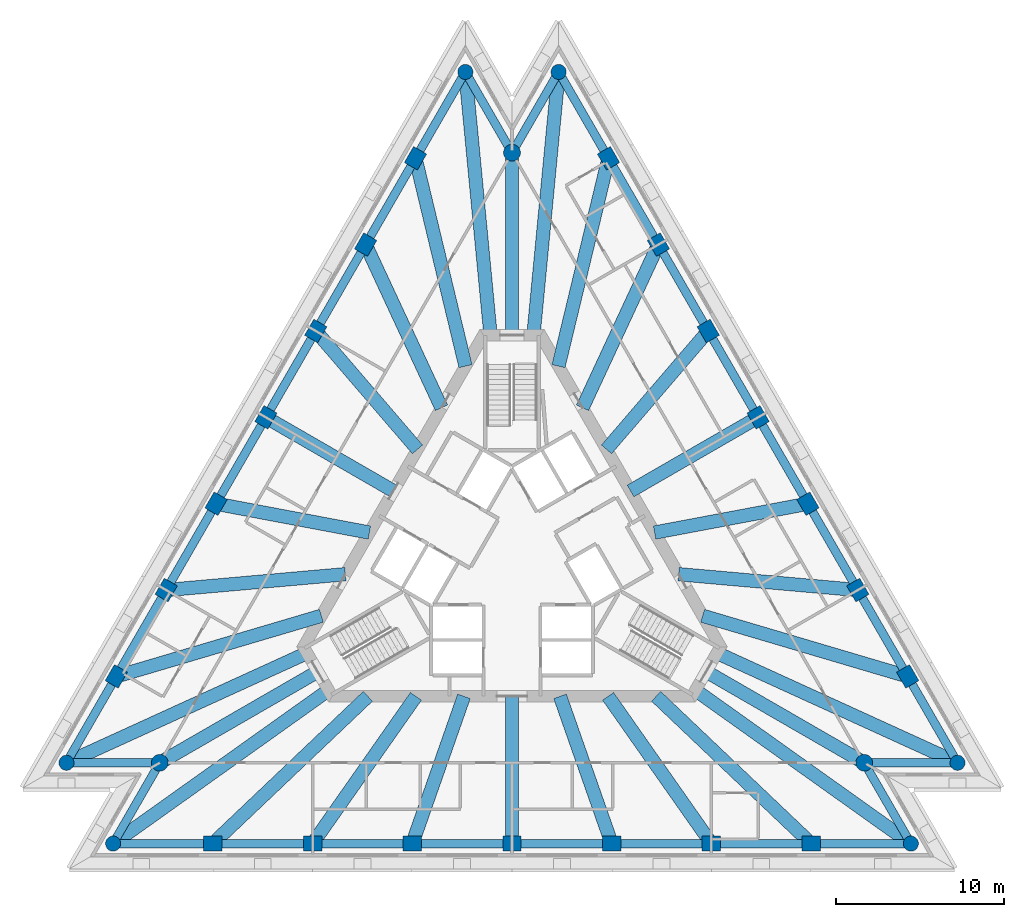
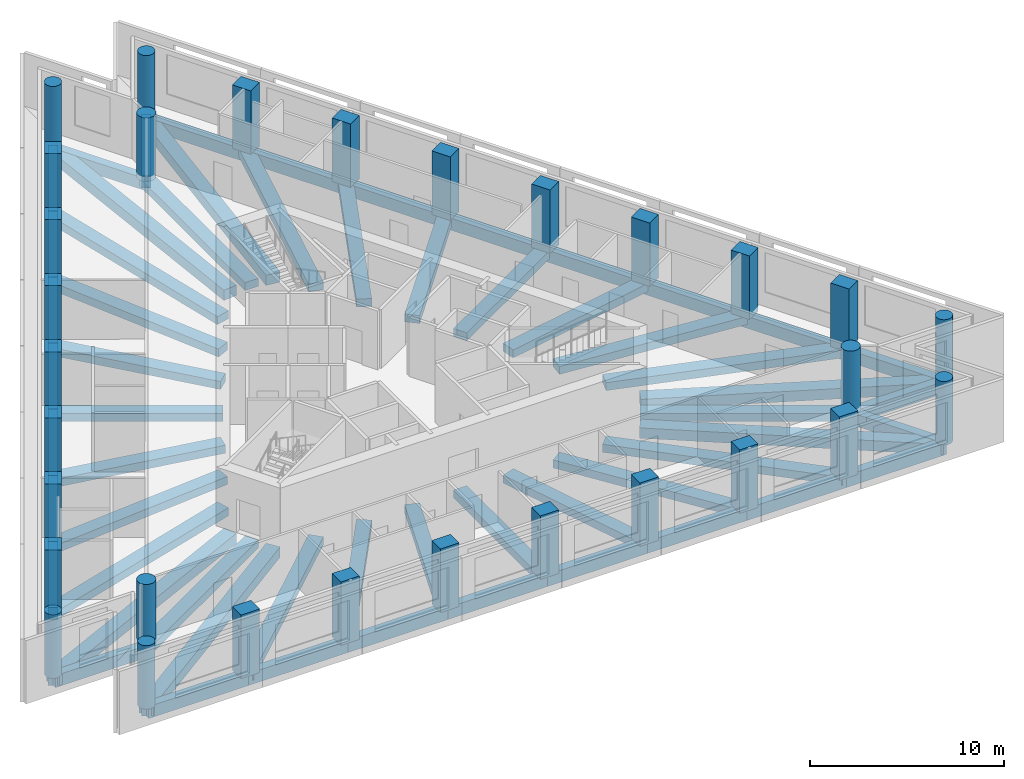
# One storey, part 1 of 9: 60 beams, 30 columns.
"""IFC4 building model written with IfcOpenShell, lengths in metres."""

import ifcopenshell
import ifcopenshell.guid

model = None  # the IFC model being written
_history = None  # IfcOwnerHistory: only IFC2X3 demands one
_inside = {}  # id of a spatial element -> (the spatial element, [elements in it])
_under = {}  # id of a project, library or spatial element -> (it, [spatial elements below it])
_declared = {}  # id of a project -> (the project, [libraries it declares])
_typed = {}  # id of a type object -> (the type object, [elements of that type])
_made_of = {}  # id of a material, layer set ... -> (it, [elements and type objects made of it])


def new_model(schema):
    """Start an empty IFC model of exactly this schema.

    Asked for "IFC4X3", IfcOpenShell would pick the latest addendum, in which some entities
    have other attributes; the version numbers below select the first issue.
    IFC2X3 requires an IfcOwnerHistory on every rooted entity: one is made here for all.
    """
    global model, _history
    if schema == "IFC4X3":
        model = ifcopenshell.file(schema_version=(4, 3, 0, 0))
    else:
        model = ifcopenshell.file(schema=schema)
    _inside.clear()
    _under.clear()
    _declared.clear()
    _typed.clear()
    _made_of.clear()
    _history = None
    if model.schema == "IFC2X3":
        org = make("IfcOrganization", Name="unknown")
        user = make(
            "IfcPersonAndOrganization",
            ThePerson=make("IfcPerson", FamilyName="unknown"),
            TheOrganization=org,
        )
        app = make(
            "IfcApplication",
            ApplicationDeveloper=org,
            Version="unknown",
            ApplicationFullName="unknown",
            ApplicationIdentifier="unknown",
        )
        _history = make(
            "IfcOwnerHistory",
            OwningUser=user,
            OwningApplication=app,
            ChangeAction="ADDED",
            CreationDate=0,
        )
    return model


def make(cls, **values):
    """One entity of the class cls with the attributes given. An attribute that is None is left unset."""
    return model.create_entity(
        cls, **{name: value for name, value in values.items() if value is not None}
    )


def rooted(cls, **values):
    """An entity with a GlobalId (a new one), such as an element, a storey or a relation."""
    return make(cls, GlobalId=ifcopenshell.guid.new(), OwnerHistory=_history, **values)


def si_unit(unit_type, name, prefix=None):
    """IfcSIUnit, for example si_unit("LENGTHUNIT", "METRE", prefix="MILLI")."""
    return make("IfcSIUnit", UnitType=unit_type, Prefix=prefix, Name=name)


def assignment(units):
    """IfcUnitAssignment: the units of a project."""
    return None if units is None else make("IfcUnitAssignment", Units=units)


def point(xyz):
    """IfcCartesianPoint."""
    return None if xyz is None else make("IfcCartesianPoint", Coordinates=xyz)


def direction(xyz):
    """IfcDirection."""
    return None if xyz is None else make("IfcDirection", DirectionRatios=xyz)


def frame(location, z_axis=None, x_axis=None):
    """IfcAxis2Placement3D, a coordinate frame: its origin and axes. An axis left out is left unset."""
    return make(
        "IfcAxis2Placement3D",
        Location=point(location),
        Axis=direction(z_axis),
        RefDirection=direction(x_axis),
    )


def frame_2d(location, x_axis=None):
    """IfcAxis2Placement2D, a coordinate frame in the plane: its origin and x axis."""
    return make(
        "IfcAxis2Placement2D", Location=point(location), RefDirection=direction(x_axis)
    )


def origin():
    """The frame at (0, 0, 0) with its axes left unset."""
    return frame((0.0, 0.0, 0.0))


def origin_2d():
    """The frame at (0, 0) in the plane with its x axis left unset."""
    return frame_2d((0.0, 0.0))


def place(relative_to, where):
    """IfcLocalPlacement: puts the frame where relative to a parent placement (None: the world)."""
    return make(
        "IfcLocalPlacement", PlacementRelTo=relative_to, RelativePlacement=where
    )


def context(
    kind, dimensions, precision=None, world=None, true_north=None, identifier=None
):
    """IfcGeometricRepresentationContext, for example the 3D "Model" context."""
    return make(
        "IfcGeometricRepresentationContext",
        ContextIdentifier=identifier,
        ContextType=kind,
        CoordinateSpaceDimension=dimensions,
        Precision=precision,
        WorldCoordinateSystem=world,
        TrueNorth=true_north,
    )


def subcontext(parent, identifier, kind, view, scale=None):
    """IfcGeometricRepresentationSubContext, for example "Body" below "Model"."""
    return make(
        "IfcGeometricRepresentationSubContext",
        ContextIdentifier=identifier,
        ContextType=kind,
        ParentContext=parent,
        TargetScale=scale,
        TargetView=view,
    )


def project(units=None, contexts=None):
    """IfcProject with its units and contexts."""
    return rooted(
        "IfcProject",
        Name="project",
        RepresentationContexts=contexts,
        UnitsInContext=assignment(units),
    )


def spatial(cls, under=None, at=None, **own):
    """A site, building, storey or space (cls), placed at a placement, below another one or the project."""
    s = rooted(cls, ObjectPlacement=at, **own)
    if under is not None:
        _under.setdefault(under.id(), (under, []))[1].append(s)
    return s


def profile(cls, at=None, kind="AREA", **sizes):
    """A parametric profile (cls). Its sizes go by their IFC names, for example OverallWidth=200.0."""
    return make(cls, ProfileType=kind, Position=at, **sizes)


def rectangle(**sizes):
    """IfcRectangleProfileDef."""
    return profile("IfcRectangleProfileDef", **sizes)


def circle(**sizes):
    """IfcCircleProfileDef."""
    return profile("IfcCircleProfileDef", **sizes)


def extrude(swept, where, along, depth):
    """IfcExtrudedAreaSolid: the profile swept, set in the frame where, extruded along a direction by depth."""
    return make(
        "IfcExtrudedAreaSolid",
        SweptArea=swept,
        Position=where,
        ExtrudedDirection=direction(along),
        Depth=depth,
    )


def shape(context_of_items, identifier, shape_type, items):
    """IfcShapeRepresentation: the items that make up one representation, for example the "Body"."""
    return make(
        "IfcShapeRepresentation",
        ContextOfItems=context_of_items,
        RepresentationIdentifier=identifier,
        RepresentationType=shape_type,
        Items=items,
    )


def material(Name=None, Category=None):
    """IfcMaterial."""
    return make("IfcMaterial", Name=Name, Category=Category)


def material_profile(
    of_material, cross_section, Name=None, Category=None, Priority=None
):
    """IfcMaterialProfile: a cross section and its material."""
    return make(
        "IfcMaterialProfile",
        Name=Name,
        Material=of_material,
        Profile=cross_section,
        Priority=Priority,
        Category=Category,
    )


def profile_set(profiles, Name=None, composite=None):
    """IfcMaterialProfileSet."""
    return make(
        "IfcMaterialProfileSet",
        Name=Name,
        MaterialProfiles=profiles,
        CompositeProfile=composite,
    )


def made_of(thing, what):
    """Note that an element or type object is made of a material, layer set ...; save() writes the relation."""
    if what is not None:
        _made_of.setdefault(what.id(), (what, []))[1].append(thing)
    return thing


def type_object(cls, material=None, **own):
    """A type object (cls), such as IfcWallType, which elements share."""
    return made_of(rooted(cls, **own), material)


def element(
    cls,
    number,
    at=None,
    inside=None,
    cuts=None,
    type_object=None,
    material=None,
    context=None,
    identifier="Body",
    shape_type=None,
    held_by="IfcProductDefinitionShape",
    body=None,
    shapes=None,
    **own,
):
    """One element of the class cls, such as IfcWall. Its Tag is "e" and its number.

    at: its placement. inside: the storey or other place that contains it. cuts: it is an
    opening in that element (IfcRelVoidsElement). A single representation is given by context,
    identifier, shape_type and body (its items); several are given by shapes. held_by: the class
    of the entity that holds the representations. save() writes the other relations.
    """
    e = rooted(cls, Tag="e%d" % number, ObjectPlacement=at, **own)
    if body is not None:
        shapes = [shape(context, identifier, shape_type, body)]
    if shapes is not None:
        e.Representation = make(held_by, Representations=shapes)
    if inside is not None:
        _inside.setdefault(inside.id(), (inside, []))[1].append(e)
    if cuts is not None:
        rooted(
            "IfcRelVoidsElement", RelatingBuildingElement=cuts, RelatedOpeningElement=e
        )
    if type_object is not None:
        _typed.setdefault(type_object.id(), (type_object, []))[1].append(e)
    return made_of(e, material)


def aggregate(whole, parts):
    """IfcRelAggregates: a whole, such as a stair, and the parts it consists of."""
    return rooted("IfcRelAggregates", RelatingObject=whole, RelatedObjects=parts)


def save(model, path):
    """Write the relations noted so far, then the file.

    IfcRelAggregates (storeys below a building ...), IfcRelContainedInSpatialStructure (elements
    in a storey), IfcRelDefinesByType, IfcRelAssociatesMaterial and IfcRelDeclares: one each for
    every whole, place, type object, material and project.
    """
    for whole, parts in _under.values():
        aggregate(whole, parts)
    for where, things in _inside.values():
        rooted(
            "IfcRelContainedInSpatialStructure",
            RelatedElements=things,
            RelatingStructure=where,
        )
    for kind, things in _typed.values():
        rooted("IfcRelDefinesByType", RelatedObjects=things, RelatingType=kind)
    for what, things in _made_of.values():
        rooted("IfcRelAssociatesMaterial", RelatedObjects=things, RelatingMaterial=what)
    for by, libraries in _declared.values():
        rooted("IfcRelDeclares", RelatingContext=by, RelatedDefinitions=libraries)
    model.write(path)


model = new_model("IFC4")

# Units and contexts
model_context = context("Model", 3, precision=1e-05, world=origin(), true_north=direction((0.0, 1.0)))
body_context = subcontext(model_context, "Body", "Model", "MODEL_VIEW")
ifc_project = project(units=[si_unit("LENGTHUNIT", "METRE"), si_unit("AREAUNIT", "SQUARE_METRE"), si_unit("VOLUMEUNIT", "CUBIC_METRE"), si_unit("PLANEANGLEUNIT", "RADIAN"), si_unit("MASSUNIT", "GRAM", prefix="KILO")], contexts=[model_context])

# Site, building, storey
site_placement = place(None, origin())
site = spatial("IfcSite", under=ifc_project, at=site_placement, CompositionType="ELEMENT")
building_placement = place(site_placement, origin())
building = spatial("IfcBuilding", under=site, at=building_placement, Name="Triada Interchange Tower", CompositionType="ELEMENT")
storey_placement = place(building_placement, frame((0.0, 0.0, 231.300048828125)))
storey = spatial("IfcBuildingStorey", under=building, at=storey_placement, Name="L54", CompositionType="ELEMENT", Elevation=231.300048828125)

# Columns
ifc_material = material(Name="Concrete C50/60", Category="concrete")
ifc_material_profile_1 = material_profile(ifc_material, rectangle(XDim=1.10009765625, YDim=0.89990234375, at=origin_2d()), Name="RC 1100x900")
ifc_profile_set_1 = profile_set([ifc_material_profile_1], Name="Concrete C50/60")
column_type_1 = type_object("IfcColumnType", Name="Column C face RC 1100x900", PredefinedType="COLUMN", material=ifc_profile_set_1)
for number, where, z_axis, x_axis, name in (
    (1, (-5.7451171875, 23.882080078125, -0.300048828125), (0.0, 0.0, 1.0), (0.5, 0.866025403784, 0.0), "Column CC02 L54"),
    (2, (-8.714111328125, 18.740966796875, -0.300048828125), (0.0, 0.0, 1.0), (0.5, 0.866025403784, 0.0), "Column CC03 L54"),
    (3, (-11.681884765625, 13.60009765625, -0.300048828125), (0.0, 0.0, 1.0), (0.5, 0.866025403784, 0.0), "Column CC04 L54"),
    (4, (-14.65087890625, 8.4580078125, -0.300048828125), (0.0, 0.0, 1.0), (0.5, 0.866025403784, 0.0), "Column CC05 L54"),
    (5, (-17.618896484375, 3.31689453125, -0.300048828125), (0.0, 0.0, 1.0), (0.5, 0.866025403784, 0.0), "Column CC06 L54"),
    (6, (-20.5869140625, -1.823974609375, -0.300048828125), (0.0, 0.0, 1.0), (0.5, 0.866025403784, 0.0), "Column CC07 L54"),
    (7, (-23.555908203125, -6.965087890625, -0.300048828125), (0.0, 0.0, 1.0), (0.5, 0.866025403784, 0.0), "Column CC08 L54"),
    (8, (-17.81005859375, -16.9169921875, -0.300048828125), (0.0, 0.0, 1.0), (1.0, 0.0, 0.0), "Column CC11 L54"),
    (9, (-11.873046875, -16.9169921875, -0.300048828125), (0.0, 0.0, 1.0), (1.0, 0.0, 0.0), "Column CC12 L54"),
    (10, (-5.93603515625, -16.9169921875, -0.300048828125), (0.0, 0.0, 1.0), (1.0, 0.0, 0.0), "Column CC13 L54"),
    (11, (0.0, -16.9169921875, -0.300048828125), (0.0, 0.0, 1.0), (1.0, 0.0, 0.0), "Column CC14 L54"),
    (12, (5.93603515625, -16.9169921875, -0.300048828125), (0.0, 0.0, 1.0), (1.0, 0.0, 0.0), "Column CC15 L54"),
    (13, (11.873046875, -16.9169921875, -0.300048828125), (0.0, 0.0, 1.0), (1.0, 0.0, 0.0), "Column CC16 L54"),
    (14, (17.80908203125, -16.9169921875, -0.300048828125), (0.0, 0.0, 1.0), (1.0, 0.0, 0.0), "Column CC17 L54"),
    (15, (23.555908203125, -6.965087890625, -0.300048828125), (0.0, 0.0, 1.0), (-0.5, 0.866025403784, 0.0), "Column CC20 L54"),
    (16, (20.5869140625, -1.823974609375, -0.300048828125), (0.0, 0.0, 1.0), (-0.5, 0.866025403784, 0.0), "Column CC21 L54"),
    (17, (17.618896484375, 3.31689453125, -0.300048828125), (0.0, 0.0, 1.0), (-0.5, 0.866025403784, 0.0), "Column CC22 L54"),
    (18, (14.65087890625, 8.4580078125, -0.300048828125), (0.0, 0.0, 1.0), (-0.5, 0.866025403784, 0.0), "Column CC23 L54"),
    (19, (11.681884765625, 13.60009765625, -0.300048828125), (0.0, 0.0, 1.0), (-0.5, 0.866025403784, 0.0), "Column CC24 L54"),
    (20, (8.714111328125, 18.740966796875, -0.300048828125), (0.0, 0.0, 1.0), (-0.5, 0.866025403784, 0.0), "Column CC25 L54"),
    (21, (5.7451171875, 23.882080078125, -0.300048828125), (0.0, 0.0, 1.0), (-0.5, 0.866025403784, 0.0), "Column CC26 L54"),
):
    element("IfcColumn", number, at=place(storey_placement, frame(where, z_axis=z_axis, x_axis=x_axis)), inside=storey, type_object=column_type_1, Name=name, PredefinedType="COLUMN", context=body_context, shape_type="SweptSolid", body=[
        extrude(rectangle(XDim=1.10009765625, YDim=0.89990234375, at=origin_2d()), origin(), (0.0, 0.0, 1.0), 4.0),
    ])
ifc_material_profile_2 = material_profile(ifc_material, circle(Radius=0.449951171875, at=origin_2d()), Name="RC D900")
ifc_profile_set_2 = profile_set([ifc_material_profile_2], Name="Concrete C50/60")
column_type_2 = type_object("IfcColumnType", Name="End column C RC D900", PredefinedType="COLUMN", material=ifc_profile_set_2)
for number, where, z_axis, x_axis, name in (
    (22, (-2.777099609375, 29.02294921875, -0.300048828125), (0.0, 0.0, 1.0), (0.5, 0.866025403784, 0.0), "Column CC01 L54"),
    (23, (-26.52392578125, -12.10595703125, -0.300048828125), (0.0, 0.0, 1.0), (0.5, 0.866025403784, 0.0), "Column CC09 L54"),
    (24, (-23.74609375, -16.9169921875, -0.300048828125), (0.0, 0.0, 1.0), (1.0, 0.0, 0.0), "Column CC10 L54"),
    (25, (23.74609375, -16.9169921875, -0.300048828125), (0.0, 0.0, 1.0), (1.0, 0.0, 0.0), "Column CC18 L54"),
    (26, (26.52392578125, -12.10595703125, -0.300048828125), (0.0, 0.0, 1.0), (-0.5, 0.866025403784, 0.0), "Column CC19 L54"),
    (27, (2.777099609375, 29.02294921875, -0.300048828125), (0.0, 0.0, 1.0), (-0.5, 0.866025403784, 0.0), "Column CC27 L54"),
):
    element("IfcColumn", number, at=place(storey_placement, frame(where, z_axis=z_axis, x_axis=x_axis)), inside=storey, type_object=column_type_2, Name=name, PredefinedType="COLUMN", context=body_context, shape_type="SweptSolid", body=[
        extrude(circle(Radius=0.449951171875, at=origin_2d()), origin(), (0.0, 0.0, 1.0), 4.0),
    ])
ifc_material_profile_3 = material_profile(ifc_material, circle(Radius=0.5, at=origin_2d()), Name="RC D1000")
ifc_profile_set_3 = profile_set([ifc_material_profile_3], Name="Concrete C50/60")
column_type_3 = type_object("IfcColumnType", Name="Mega column C RC D1000", PredefinedType="COLUMN", material=ifc_profile_set_3)
for number, where, z_axis, x_axis, name in (
    (28, (0.0, 24.212890625, -0.300048828125), (0.0, 0.0, 1.0), (1.0, 0.0, 0.0), "Column MC1 L54"),
    (29, (-20.968994140625, -12.10595703125, -0.300048828125), (0.0, 0.0, 1.0), (1.0, 0.0, 0.0), "Column MC2 L54"),
    (30, (20.968994140625, -12.10595703125, -0.300048828125), (0.0, 0.0, 1.0), (1.0, 0.0, 0.0), "Column MC3 L54"),
):
    element("IfcColumn", number, at=place(storey_placement, frame(where, z_axis=z_axis, x_axis=x_axis)), inside=storey, type_object=column_type_3, Name=name, PredefinedType="COLUMN", context=body_context, shape_type="SweptSolid", body=[
        extrude(circle(Radius=0.5, at=origin_2d()), origin(), (0.0, 0.0, 1.0), 4.0),
    ])

# Beams
ifc_material_profile_4 = material_profile(ifc_material, rectangle(XDim=0.800048828125, YDim=0.5, at=origin_2d()), Name="RC 800x500")
ifc_profile_set_4 = profile_set([ifc_material_profile_4], Name="Concrete C50/60")
beam_type_1 = type_object("IfcBeamType", Name="Radial band beam C RC 800x500", PredefinedType="BEAM", material=ifc_profile_set_4)
beam_1_placement = place(storey_placement, frame((-5.7451171875, 23.882080078125, -0.550048828125), z_axis=(0.233879257631, -0.972265649321, 0.0), x_axis=(0.972265649321, 0.233879257631, 0.0)))
element("IfcBeam", 31, at=beam_1_placement, inside=storey, type_object=beam_type_1, Name="Radial band beam BC02 L54", PredefinedType="BEAM", context=body_context, shape_type="SweptSolid", body=[
    extrude(rectangle(XDim=0.800048828125, YDim=0.5, at=origin_2d()), origin(), (0.0, 0.0, 1.0), 12.72900390625),
])
beam_2_placement = place(storey_placement, frame((-8.714111328125, 18.740966796875, -0.550048828125), z_axis=(0.421649685725, -0.906758811663, 0.0), x_axis=(0.906758811663, 0.421649685725, 0.0)))
element("IfcBeam", 32, at=beam_2_placement, inside=storey, type_object=beam_type_1, Name="Radial band beam BC03 L54", PredefinedType="BEAM", context=body_context, shape_type="SweptSolid", body=[
    extrude(rectangle(XDim=0.800048828125, YDim=0.5, at=origin_2d()), origin(), (0.0, 0.0, 1.0), 10.710693359375),
])
beam_3_placement = place(storey_placement, frame((-11.681884765625, 13.60009765625, -0.550048828125), z_axis=(0.651580865015, -0.758579182648, 0.0), x_axis=(0.758579182648, 0.651580865015, 0.0)))
element("IfcBeam", 33, at=beam_3_placement, inside=storey, type_object=beam_type_1, Name="Radial band beam BC04 L54", PredefinedType="BEAM", context=body_context, shape_type="SweptSolid", body=[
    extrude(rectangle(XDim=0.800048828125, YDim=0.5, at=origin_2d()), origin(), (0.0, 0.0, 1.0), 9.291259765625),
])
beam_4_placement = place(storey_placement, frame((-14.65087890625, 8.4580078125, -0.550048828125), z_axis=(0.86605667378, -0.499945834867, 0.0), x_axis=(0.499945834867, 0.86605667378, 0.0)))
element("IfcBeam", 34, at=beam_4_placement, inside=storey, type_object=beam_type_1, Name="Radial band beam BC05 L54", PredefinedType="BEAM", context=body_context, shape_type="SweptSolid", body=[
    extrude(rectangle(XDim=0.800048828125, YDim=0.5, at=origin_2d()), origin(), (0.0, 0.0, 1.0), 8.76708984375),
])
beam_5_placement = place(storey_placement, frame((-17.618896484375, 3.31689453125, -0.550048828125), z_axis=(0.982736275121, -0.185011928159, 0.0), x_axis=(0.185011928159, 0.982736275121, 0.0)))
element("IfcBeam", 35, at=beam_5_placement, inside=storey, type_object=beam_type_1, Name="Radial band beam BC06 L54", PredefinedType="BEAM", context=body_context, shape_type="SweptSolid", body=[
    extrude(rectangle(XDim=0.800048828125, YDim=0.5, at=origin_2d()), origin(), (0.0, 0.0, 1.0), 9.291259765625),
])
beam_6_placement = place(storey_placement, frame((-20.5869140625, -1.823974609375, -0.550048828125), z_axis=(0.996099621029, 0.088235735309, 0.0), x_axis=(-0.088235735309, 0.996099621029, 0.0)))
element("IfcBeam", 36, at=beam_6_placement, inside=storey, type_object=beam_type_1, Name="Radial band beam BC07 L54", PredefinedType="BEAM", context=body_context, shape_type="SweptSolid", body=[
    extrude(rectangle(XDim=0.800048828125, YDim=0.5, at=origin_2d()), origin(), (0.0, 0.0, 1.0), 10.710693359375),
])
beam_7_placement = place(storey_placement, frame((-23.555908203125, -6.965087890625, -0.550048828125), z_axis=(0.958949461364, 0.283577027542, 0.0), x_axis=(-0.283577027542, 0.958949461364, 0.0)))
element("IfcBeam", 37, at=beam_7_placement, inside=storey, type_object=beam_type_1, Name="Radial band beam BC08 L54", PredefinedType="BEAM", context=body_context, shape_type="SweptSolid", body=[
    extrude(rectangle(XDim=0.800048828125, YDim=0.5, at=origin_2d()), origin(), (0.0, 0.0, 1.0), 12.730712890625),
])
beam_8_placement = place(storey_placement, frame((-20.968994140625, -12.10595703125, -0.550048828125), z_axis=(0.866033999634, 0.499985111257, 0.0), x_axis=(-0.499985111257, 0.866033999634, 0.0)))
element("IfcBeam", 38, at=beam_8_placement, inside=storey, type_object=beam_type_1, Name="Radial band beam BC10 L54", PredefinedType="BEAM", context=body_context, shape_type="SweptSolid", body=[
    extrude(rectangle(XDim=0.800048828125, YDim=0.5, at=origin_2d()), origin(), (0.0, 0.0, 1.0), 10.862060546875),
])
beam_9_placement = place(storey_placement, frame((-17.81005859375, -16.9169921875, -0.550048828125), z_axis=(0.725054017589, 0.688692000519, 0.0), x_axis=(-0.688692000519, 0.725054017589, 0.0)))
element("IfcBeam", 39, at=beam_9_placement, inside=storey, type_object=beam_type_1, Name="Radial band beam BC12 L54", PredefinedType="BEAM", context=body_context, shape_type="SweptSolid", body=[
    extrude(rectangle(XDim=0.800048828125, YDim=0.5, at=origin_2d()), origin(), (0.0, 0.0, 1.0), 12.72998046875),
])
beam_10_placement = place(storey_placement, frame((-11.873046875, -16.9169921875, -0.550048828125), z_axis=(0.574471566086, 0.818524538275, 0.0), x_axis=(-0.818524538275, 0.574471566086, 0.0)))
element("IfcBeam", 40, at=beam_10_placement, inside=storey, type_object=beam_type_1, Name="Radial band beam BC13 L54", PredefinedType="BEAM", context=body_context, shape_type="SweptSolid", body=[
    extrude(rectangle(XDim=0.800048828125, YDim=0.5, at=origin_2d()), origin(), (0.0, 0.0, 1.0), 10.7109375),
])
beam_11_placement = place(storey_placement, frame((-5.93603515625, -16.9169921875, -0.550048828125), z_axis=(0.33106431636, 0.943608191165, 0.0), x_axis=(-0.943608191165, 0.33106431636, 0.0)))
element("IfcBeam", 41, at=beam_11_placement, inside=storey, type_object=beam_type_1, Name="Radial band beam BC14 L54", PredefinedType="BEAM", context=body_context, shape_type="SweptSolid", body=[
    extrude(rectangle(XDim=0.800048828125, YDim=0.5, at=origin_2d()), origin(), (0.0, 0.0, 1.0), 9.291015625),
])
beam_12_placement = place(storey_placement, frame((0.0, -16.9169921875, -0.550048828125), z_axis=(0.0, 1.0, 0.0), x_axis=(-1.0, 0.0, 0.0)))
element("IfcBeam", 42, at=beam_12_placement, inside=storey, type_object=beam_type_1, Name="Radial band beam BC15 L54", PredefinedType="BEAM", context=body_context, shape_type="SweptSolid", body=[
    extrude(rectangle(XDim=0.800048828125, YDim=0.5, at=origin_2d()), origin(), (0.0, 0.0, 1.0), 8.76708984375),
])
beam_13_placement = place(storey_placement, frame((5.93603515625, -16.9169921875, -0.550048828125), z_axis=(-0.33106431636, 0.943608191165, 0.0), x_axis=(-0.943608191165, -0.33106431636, 0.0)))
element("IfcBeam", 43, at=beam_13_placement, inside=storey, type_object=beam_type_1, Name="Radial band beam BC16 L54", PredefinedType="BEAM", context=body_context, shape_type="SweptSolid", body=[
    extrude(rectangle(XDim=0.800048828125, YDim=0.5, at=origin_2d()), origin(), (0.0, 0.0, 1.0), 9.291015625),
])
beam_14_placement = place(storey_placement, frame((11.873046875, -16.9169921875, -0.550048828125), z_axis=(-0.574471566086, 0.818524538275, 0.0), x_axis=(-0.818524538275, -0.574471566086, 0.0)))
element("IfcBeam", 44, at=beam_14_placement, inside=storey, type_object=beam_type_1, Name="Radial band beam BC17 L54", PredefinedType="BEAM", context=body_context, shape_type="SweptSolid", body=[
    extrude(rectangle(XDim=0.800048828125, YDim=0.5, at=origin_2d()), origin(), (0.0, 0.0, 1.0), 10.7109375),
])
beam_15_placement = place(storey_placement, frame((17.80908203125, -16.9169921875, -0.550048828125), z_axis=(-0.725017629777, 0.688730307531, 0.0), x_axis=(-0.688730307531, -0.725017629777, 0.0)))
element("IfcBeam", 45, at=beam_15_placement, inside=storey, type_object=beam_type_1, Name="Radial band beam BC18 L54", PredefinedType="BEAM", context=body_context, shape_type="SweptSolid", body=[
    extrude(rectangle(XDim=0.800048828125, YDim=0.5, at=origin_2d()), origin(), (0.0, 0.0, 1.0), 12.729248046875),
])
beam_16_placement = place(storey_placement, frame((20.968994140625, -12.10595703125, -0.550048828125), z_axis=(-0.866033999634, 0.499985111257, 0.0), x_axis=(-0.499985111257, -0.866033999634, 0.0)))
element("IfcBeam", 46, at=beam_16_placement, inside=storey, type_object=beam_type_1, Name="Radial band beam BC20 L54", PredefinedType="BEAM", context=body_context, shape_type="SweptSolid", body=[
    extrude(rectangle(XDim=0.800048828125, YDim=0.5, at=origin_2d()), origin(), (0.0, 0.0, 1.0), 10.862060546875),
])
beam_17_placement = place(storey_placement, frame((23.555908203125, -6.965087890625, -0.550048828125), z_axis=(-0.958949461364, 0.283577027542, 0.0), x_axis=(-0.283577027542, -0.958949461364, 0.0)))
element("IfcBeam", 47, at=beam_17_placement, inside=storey, type_object=beam_type_1, Name="Radial band beam BC22 L54", PredefinedType="BEAM", context=body_context, shape_type="SweptSolid", body=[
    extrude(rectangle(XDim=0.800048828125, YDim=0.5, at=origin_2d()), origin(), (0.0, 0.0, 1.0), 12.730712890625),
])
beam_18_placement = place(storey_placement, frame((20.5869140625, -1.823974609375, -0.550048828125), z_axis=(-0.996099621029, 0.088235735309, 0.0), x_axis=(-0.088235735309, -0.996099621029, 0.0)))
element("IfcBeam", 48, at=beam_18_placement, inside=storey, type_object=beam_type_1, Name="Radial band beam BC23 L54", PredefinedType="BEAM", context=body_context, shape_type="SweptSolid", body=[
    extrude(rectangle(XDim=0.800048828125, YDim=0.5, at=origin_2d()), origin(), (0.0, 0.0, 1.0), 10.710693359375),
])
beam_19_placement = place(storey_placement, frame((17.618896484375, 3.31689453125, -0.550048828125), z_axis=(-0.982736275121, -0.185011928159, 0.0), x_axis=(0.185011928159, -0.982736275121, 0.0)))
element("IfcBeam", 49, at=beam_19_placement, inside=storey, type_object=beam_type_1, Name="Radial band beam BC24 L54", PredefinedType="BEAM", context=body_context, shape_type="SweptSolid", body=[
    extrude(rectangle(XDim=0.800048828125, YDim=0.5, at=origin_2d()), origin(), (0.0, 0.0, 1.0), 9.291259765625),
])
beam_20_placement = place(storey_placement, frame((14.65087890625, 8.4580078125, -0.550048828125), z_axis=(-0.86605667378, -0.499945834867, 0.0), x_axis=(0.499945834867, -0.86605667378, 0.0)))
element("IfcBeam", 50, at=beam_20_placement, inside=storey, type_object=beam_type_1, Name="Radial band beam BC25 L54", PredefinedType="BEAM", context=body_context, shape_type="SweptSolid", body=[
    extrude(rectangle(XDim=0.800048828125, YDim=0.5, at=origin_2d()), origin(), (0.0, 0.0, 1.0), 8.76708984375),
])
beam_21_placement = place(storey_placement, frame((11.681884765625, 13.60009765625, -0.550048828125), z_axis=(-0.651580865015, -0.758579182648, 0.0), x_axis=(0.758579182648, -0.651580865015, 0.0)))
element("IfcBeam", 51, at=beam_21_placement, inside=storey, type_object=beam_type_1, Name="Radial band beam BC26 L54", PredefinedType="BEAM", context=body_context, shape_type="SweptSolid", body=[
    extrude(rectangle(XDim=0.800048828125, YDim=0.5, at=origin_2d()), origin(), (0.0, 0.0, 1.0), 9.291259765625),
])
beam_22_placement = place(storey_placement, frame((8.714111328125, 18.740966796875, -0.550048828125), z_axis=(-0.421649685725, -0.906758811663, 0.0), x_axis=(0.906758811663, -0.421649685725, 0.0)))
element("IfcBeam", 52, at=beam_22_placement, inside=storey, type_object=beam_type_1, Name="Radial band beam BC27 L54", PredefinedType="BEAM", context=body_context, shape_type="SweptSolid", body=[
    extrude(rectangle(XDim=0.800048828125, YDim=0.5, at=origin_2d()), origin(), (0.0, 0.0, 1.0), 10.710693359375),
])
beam_23_placement = place(storey_placement, frame((5.7451171875, 23.882080078125, -0.550048828125), z_axis=(-0.233879257631, -0.972265649321, 0.0), x_axis=(0.972265649321, -0.233879257631, 0.0)))
element("IfcBeam", 53, at=beam_23_placement, inside=storey, type_object=beam_type_1, Name="Radial band beam BC28 L54", PredefinedType="BEAM", context=body_context, shape_type="SweptSolid", body=[
    extrude(rectangle(XDim=0.800048828125, YDim=0.5, at=origin_2d()), origin(), (0.0, 0.0, 1.0), 12.72900390625),
])
beam_24_placement = place(storey_placement, frame((0.0, 24.212890625, -0.550048828125), z_axis=(0.0, -1.0, 0.0), x_axis=(1.0, 0.0, 0.0)))
element("IfcBeam", 54, at=beam_24_placement, inside=storey, type_object=beam_type_1, Name="Radial band beam BC30 L54", PredefinedType="BEAM", context=body_context, shape_type="SweptSolid", body=[
    extrude(rectangle(XDim=0.800048828125, YDim=0.5, at=origin_2d()), origin(), (0.0, 0.0, 1.0), 10.86279296875),
])
ifc_material_profile_5 = material_profile(ifc_material, rectangle(XDim=0.800048828125, YDim=0.64990234375, at=origin_2d()), Name="RC 800x650")
ifc_profile_set_5 = profile_set([ifc_material_profile_5], Name="Concrete C50/60")
beam_type_2 = type_object("IfcBeamType", Name="Radial band beam C RC 800x650", PredefinedType="BEAM", material=ifc_profile_set_5)
beam_25_placement = place(storey_placement, frame((-2.777099609375, 29.02294921875, -0.625), z_axis=(0.095271557567, -0.995451319914, 0.0), x_axis=(0.995451319914, 0.095271557567, 0.0)))
element("IfcBeam", 55, at=beam_25_placement, inside=storey, type_object=beam_type_2, Name="Radial band beam BC01 L54", PredefinedType="BEAM", context=body_context, shape_type="SweptSolid", body=[
    extrude(rectangle(XDim=0.800048828125, YDim=0.64990234375, at=origin_2d()), origin(), (0.0, 0.0, 1.0), 15.744384765625),
])
beam_26_placement = place(storey_placement, frame((-26.52392578125, -12.10595703125, -0.625), z_axis=(0.909720728045, 0.41522066057, 0.0), x_axis=(-0.41522066057, 0.909720728045, 0.0)))
element("IfcBeam", 56, at=beam_26_placement, inside=storey, type_object=beam_type_2, Name="Radial band beam BC09 L54", PredefinedType="BEAM", context=body_context, shape_type="SweptSolid", body=[
    extrude(rectangle(XDim=0.800048828125, YDim=0.64990234375, at=origin_2d()), origin(), (0.0, 0.0, 1.0), 15.745361328125),
])
for number, where, z_axis, x_axis, name in (
    (57, (-23.74609375, -16.9169921875, -0.625), (0.814462068042, 0.580216804066, 0.0), (-0.580216804066, 0.814462068042, 0.0), "Radial band beam BC11 L54"),
    (58, (23.74609375, -16.9169921875, -0.625), (-0.814462068042, 0.580216804066, 0.0), (-0.580216804066, -0.814462068042, 0.0), "Radial band beam BC19 L54"),
):
    element("IfcBeam", number, at=place(storey_placement, frame(where, z_axis=z_axis, x_axis=x_axis)), inside=storey, type_object=beam_type_2, Name=name, PredefinedType="BEAM", context=body_context, shape_type="SweptSolid", body=[
        extrude(rectangle(XDim=0.800048828125, YDim=0.64990234375, at=origin_2d()), origin(), (0.0, 0.0, 1.0), 15.744140625),
    ])
beam_27_placement = place(storey_placement, frame((26.52392578125, -12.10595703125, -0.625), z_axis=(-0.909720728045, 0.41522066057, 0.0), x_axis=(-0.41522066057, -0.909720728045, 0.0)))
element("IfcBeam", 59, at=beam_27_placement, inside=storey, type_object=beam_type_2, Name="Radial band beam BC21 L54", PredefinedType="BEAM", context=body_context, shape_type="SweptSolid", body=[
    extrude(rectangle(XDim=0.800048828125, YDim=0.64990234375, at=origin_2d()), origin(), (0.0, 0.0, 1.0), 15.745361328125),
])
beam_28_placement = place(storey_placement, frame((2.777099609375, 29.02294921875, -0.625), z_axis=(-0.095271557567, -0.995451319914, 0.0), x_axis=(0.995451319914, -0.095271557567, 0.0)))
element("IfcBeam", 60, at=beam_28_placement, inside=storey, type_object=beam_type_2, Name="Radial band beam BC29 L54", PredefinedType="BEAM", context=body_context, shape_type="SweptSolid", body=[
    extrude(rectangle(XDim=0.800048828125, YDim=0.64990234375, at=origin_2d()), origin(), (0.0, 0.0, 1.0), 15.744384765625),
])
ifc_material_profile_6 = material_profile(ifc_material, rectangle(XDim=0.5, YDim=0.75, at=origin_2d()), Name="RC 500x750")
ifc_profile_set_6 = profile_set([ifc_material_profile_6], Name="Concrete C50/60")
beam_type_3 = type_object("IfcBeamType", Name="Spandrel beam C RC 500x750", PredefinedType="BEAM", material=ifc_profile_set_6)
beam_29_placement = place(storey_placement, frame((-2.777099609375, 29.02294921875, -0.675048828125), z_axis=(-0.499991837581, -0.866030116308, 0.0), x_axis=(0.866030116308, -0.499991837581, 0.0)))
element("IfcBeam", 61, at=beam_29_placement, inside=storey, type_object=beam_type_3, Name="Spandrel beam EC01 L54", PredefinedType="BEAM", context=body_context, shape_type="SweptSolid", body=[
    extrude(rectangle(XDim=0.5, YDim=0.75, at=origin_2d()), origin(), (0.0, 0.0, 1.0), 5.93603515625),
])
beam_30_placement = place(storey_placement, frame((-5.7451171875, 23.882080078125, -0.675048828125), z_axis=(-0.500097397748, -0.865969163866, 0.0), x_axis=(0.865969163866, -0.500097397748, 0.0)))
element("IfcBeam", 62, at=beam_30_placement, inside=storey, type_object=beam_type_3, Name="Spandrel beam EC02 L54", PredefinedType="BEAM", context=body_context, shape_type="SweptSolid", body=[
    extrude(rectangle(XDim=0.5, YDim=0.75, at=origin_2d()), origin(), (0.0, 0.0, 1.0), 5.936767578125),
])
beam_31_placement = place(storey_placement, frame((-8.714111328125, 18.740966796875, -0.675048828125), z_axis=(-0.499960990372, -0.866047924832, 0.0), x_axis=(0.866047924832, -0.499960990372, 0.0)))
element("IfcBeam", 63, at=beam_31_placement, inside=storey, type_object=beam_type_3, Name="Spandrel beam EC03 L54", PredefinedType="BEAM", context=body_context, shape_type="SweptSolid", body=[
    extrude(rectangle(XDim=0.5, YDim=0.75, at=origin_2d()), origin(), (0.0, 0.0, 1.0), 5.93603515625),
])
beam_32_placement = place(storey_placement, frame((-11.681884765625, 13.60009765625, -0.675048828125), z_axis=(-0.500026169744, -0.866010294149, 0.0), x_axis=(0.866010294149, -0.500026169744, 0.0)))
element("IfcBeam", 64, at=beam_32_placement, inside=storey, type_object=beam_type_3, Name="Spandrel beam EC04 L54", PredefinedType="BEAM", context=body_context, shape_type="SweptSolid", body=[
    extrude(rectangle(XDim=0.5, YDim=0.75, at=origin_2d()), origin(), (0.0, 0.0, 1.0), 5.937744140625),
])
beam_33_placement = place(storey_placement, frame((-14.65087890625, 8.4580078125, -0.675048828125), z_axis=(-0.499974029402, -0.866040397397, 0.0), x_axis=(0.866040397397, -0.499974029402, 0.0)))
element("IfcBeam", 65, at=beam_33_placement, inside=storey, type_object=beam_type_3, Name="Spandrel beam EC05 L54", PredefinedType="BEAM", context=body_context, shape_type="SweptSolid", body=[
    extrude(rectangle(XDim=0.5, YDim=0.75, at=origin_2d()), origin(), (0.0, 0.0, 1.0), 5.936279296875),
])
beam_34_placement = place(storey_placement, frame((-17.618896484375, 3.31689453125, -0.675048828125), z_axis=(-0.499991837581, -0.866030116308, 0.0), x_axis=(0.866030116308, -0.499991837581, 0.0)))
element("IfcBeam", 66, at=beam_34_placement, inside=storey, type_object=beam_type_3, Name="Spandrel beam EC06 L54", PredefinedType="BEAM", context=body_context, shape_type="SweptSolid", body=[
    extrude(rectangle(XDim=0.5, YDim=0.75, at=origin_2d()), origin(), (0.0, 0.0, 1.0), 5.93603515625),
])
beam_35_placement = place(storey_placement, frame((-20.5869140625, -1.823974609375, -0.675048828125), z_axis=(-0.500097397748, -0.865969163866, 0.0), x_axis=(0.865969163866, -0.500097397748, 0.0)))
element("IfcBeam", 67, at=beam_35_placement, inside=storey, type_object=beam_type_3, Name="Spandrel beam EC07 L54", PredefinedType="BEAM", context=body_context, shape_type="SweptSolid", body=[
    extrude(rectangle(XDim=0.5, YDim=0.75, at=origin_2d()), origin(), (0.0, 0.0, 1.0), 5.936767578125),
])
beam_36_placement = place(storey_placement, frame((-23.555908203125, -6.965087890625, -0.675048828125), z_axis=(-0.499991837581, -0.866030116308, 0.0), x_axis=(0.866030116308, -0.499991837581, 0.0)))
element("IfcBeam", 68, at=beam_36_placement, inside=storey, type_object=beam_type_3, Name="Spandrel beam EC08 L54", PredefinedType="BEAM", context=body_context, shape_type="SweptSolid", body=[
    extrude(rectangle(XDim=0.5, YDim=0.75, at=origin_2d()), origin(), (0.0, 0.0, 1.0), 5.93603515625),
])
for number, where, z_axis, x_axis, name in (
    (69, (-26.52392578125, -12.10595703125, -0.675048828125), (1.0, 0.0, 0.0), (0.0, 1.0, 0.0), "Spandrel beam EC09 L54"),
    (70, (-20.968994140625, -12.10595703125, -0.675048828125), (-0.499925358584, -0.866068493737, 0.0), (0.866068493737, -0.499925358584, 0.0), "Spandrel beam EC10 L54"),
):
    element("IfcBeam", number, at=place(storey_placement, frame(where, z_axis=z_axis, x_axis=x_axis)), inside=storey, type_object=beam_type_3, Name=name, PredefinedType="BEAM", context=body_context, shape_type="SweptSolid", body=[
        extrude(rectangle(XDim=0.5, YDim=0.75, at=origin_2d()), origin(), (0.0, 0.0, 1.0), 5.554931640625),
    ])
beam_37_placement = place(storey_placement, frame((-23.74609375, -16.9169921875, -0.675048828125), z_axis=(1.0, 0.0, 0.0), x_axis=(0.0, 1.0, 0.0)))
element("IfcBeam", 71, at=beam_37_placement, inside=storey, type_object=beam_type_3, Name="Spandrel beam EC11 L54", PredefinedType="BEAM", context=body_context, shape_type="SweptSolid", body=[
    extrude(rectangle(XDim=0.5, YDim=0.75, at=origin_2d()), origin(), (0.0, 0.0, 1.0), 5.93603515625),
])
for number, where, z_axis, x_axis, name in (
    (72, (-17.81005859375, -16.9169921875, -0.675048828125), (1.0, 0.0, 0.0), (0.0, 1.0, 0.0), "Spandrel beam EC12 L54"),
    (73, (-11.873046875, -16.9169921875, -0.675048828125), (1.0, 0.0, 0.0), (0.0, 1.0, 0.0), "Spandrel beam EC13 L54"),
):
    element("IfcBeam", number, at=place(storey_placement, frame(where, z_axis=z_axis, x_axis=x_axis)), inside=storey, type_object=beam_type_3, Name=name, PredefinedType="BEAM", context=body_context, shape_type="SweptSolid", body=[
        extrude(rectangle(XDim=0.5, YDim=0.75, at=origin_2d()), origin(), (0.0, 0.0, 1.0), 5.93701171875),
    ])
for number, where, z_axis, x_axis, name in (
    (74, (-5.93603515625, -16.9169921875, -0.675048828125), (1.0, 0.0, 0.0), (0.0, 1.0, 0.0), "Spandrel beam EC14 L54"),
    (75, (0.0, -16.9169921875, -0.675048828125), (1.0, 0.0, 0.0), (0.0, 1.0, 0.0), "Spandrel beam EC15 L54"),
):
    element("IfcBeam", number, at=place(storey_placement, frame(where, z_axis=z_axis, x_axis=x_axis)), inside=storey, type_object=beam_type_3, Name=name, PredefinedType="BEAM", context=body_context, shape_type="SweptSolid", body=[
        extrude(rectangle(XDim=0.5, YDim=0.75, at=origin_2d()), origin(), (0.0, 0.0, 1.0), 5.93603515625),
    ])
beam_38_placement = place(storey_placement, frame((5.93603515625, -16.9169921875, -0.675048828125), z_axis=(1.0, 0.0, 0.0), x_axis=(0.0, 1.0, 0.0)))
element("IfcBeam", 76, at=beam_38_placement, inside=storey, type_object=beam_type_3, Name="Spandrel beam EC16 L54", PredefinedType="BEAM", context=body_context, shape_type="SweptSolid", body=[
    extrude(rectangle(XDim=0.5, YDim=0.75, at=origin_2d()), origin(), (0.0, 0.0, 1.0), 5.93701171875),
])
beam_39_placement = place(storey_placement, frame((11.873046875, -16.9169921875, -0.675048828125), z_axis=(1.0, 0.0, 0.0), x_axis=(0.0, 1.0, 0.0)))
element("IfcBeam", 77, at=beam_39_placement, inside=storey, type_object=beam_type_3, Name="Spandrel beam EC17 L54", PredefinedType="BEAM", context=body_context, shape_type="SweptSolid", body=[
    extrude(rectangle(XDim=0.5, YDim=0.75, at=origin_2d()), origin(), (0.0, 0.0, 1.0), 5.93603515625),
])
beam_40_placement = place(storey_placement, frame((17.80908203125, -16.9169921875, -0.675048828125), z_axis=(1.0, 0.0, 0.0), x_axis=(0.0, 1.0, 0.0)))
element("IfcBeam", 78, at=beam_40_placement, inside=storey, type_object=beam_type_3, Name="Spandrel beam EC18 L54", PredefinedType="BEAM", context=body_context, shape_type="SweptSolid", body=[
    extrude(rectangle(XDim=0.5, YDim=0.75, at=origin_2d()), origin(), (0.0, 0.0, 1.0), 5.93701171875),
])
for number, where, z_axis, x_axis, name in (
    (79, (23.74609375, -16.9169921875, -0.675048828125), (-0.499925358584, 0.866068493737, 0.0), (-0.866068493737, -0.499925358584, 0.0), "Spandrel beam EC19 L54"),
    (80, (20.968994140625, -12.10595703125, -0.675048828125), (1.0, 0.0, 0.0), (0.0, 1.0, 0.0), "Spandrel beam EC20 L54"),
):
    element("IfcBeam", number, at=place(storey_placement, frame(where, z_axis=z_axis, x_axis=x_axis)), inside=storey, type_object=beam_type_3, Name=name, PredefinedType="BEAM", context=body_context, shape_type="SweptSolid", body=[
        extrude(rectangle(XDim=0.5, YDim=0.75, at=origin_2d()), origin(), (0.0, 0.0, 1.0), 5.554931640625),
    ])
beam_41_placement = place(storey_placement, frame((26.52392578125, -12.10595703125, -0.675048828125), z_axis=(-0.499991837581, 0.866030116308, 0.0), x_axis=(-0.866030116308, -0.499991837581, 0.0)))
element("IfcBeam", 81, at=beam_41_placement, inside=storey, type_object=beam_type_3, Name="Spandrel beam EC21 L54", PredefinedType="BEAM", context=body_context, shape_type="SweptSolid", body=[
    extrude(rectangle(XDim=0.5, YDim=0.75, at=origin_2d()), origin(), (0.0, 0.0, 1.0), 5.93603515625),
])
beam_42_placement = place(storey_placement, frame((23.555908203125, -6.965087890625, -0.675048828125), z_axis=(-0.500097397748, 0.865969163866, 0.0), x_axis=(-0.865969163866, -0.500097397748, 0.0)))
element("IfcBeam", 82, at=beam_42_placement, inside=storey, type_object=beam_type_3, Name="Spandrel beam EC22 L54", PredefinedType="BEAM", context=body_context, shape_type="SweptSolid", body=[
    extrude(rectangle(XDim=0.5, YDim=0.75, at=origin_2d()), origin(), (0.0, 0.0, 1.0), 5.936767578125),
])
beam_43_placement = place(storey_placement, frame((20.5869140625, -1.823974609375, -0.675048828125), z_axis=(-0.499991837581, 0.866030116308, 0.0), x_axis=(-0.866030116308, -0.499991837581, 0.0)))
element("IfcBeam", 83, at=beam_43_placement, inside=storey, type_object=beam_type_3, Name="Spandrel beam EC23 L54", PredefinedType="BEAM", context=body_context, shape_type="SweptSolid", body=[
    extrude(rectangle(XDim=0.5, YDim=0.75, at=origin_2d()), origin(), (0.0, 0.0, 1.0), 5.93603515625),
])
beam_44_placement = place(storey_placement, frame((17.618896484375, 3.31689453125, -0.675048828125), z_axis=(-0.499974029402, 0.866040397397, 0.0), x_axis=(-0.866040397397, -0.499974029402, 0.0)))
element("IfcBeam", 84, at=beam_44_placement, inside=storey, type_object=beam_type_3, Name="Spandrel beam EC24 L54", PredefinedType="BEAM", context=body_context, shape_type="SweptSolid", body=[
    extrude(rectangle(XDim=0.5, YDim=0.75, at=origin_2d()), origin(), (0.0, 0.0, 1.0), 5.936279296875),
])
beam_45_placement = place(storey_placement, frame((14.65087890625, 8.4580078125, -0.675048828125), z_axis=(-0.500026169744, 0.866010294149, 0.0), x_axis=(-0.866010294149, -0.500026169744, 0.0)))
element("IfcBeam", 85, at=beam_45_placement, inside=storey, type_object=beam_type_3, Name="Spandrel beam EC25 L54", PredefinedType="BEAM", context=body_context, shape_type="SweptSolid", body=[
    extrude(rectangle(XDim=0.5, YDim=0.75, at=origin_2d()), origin(), (0.0, 0.0, 1.0), 5.937744140625),
])
beam_46_placement = place(storey_placement, frame((11.681884765625, 13.60009765625, -0.675048828125), z_axis=(-0.499960990372, 0.866047924832, 0.0), x_axis=(-0.866047924832, -0.499960990372, 0.0)))
element("IfcBeam", 86, at=beam_46_placement, inside=storey, type_object=beam_type_3, Name="Spandrel beam EC26 L54", PredefinedType="BEAM", context=body_context, shape_type="SweptSolid", body=[
    extrude(rectangle(XDim=0.5, YDim=0.75, at=origin_2d()), origin(), (0.0, 0.0, 1.0), 5.93603515625),
])
beam_47_placement = place(storey_placement, frame((8.714111328125, 18.740966796875, -0.675048828125), z_axis=(-0.500097397748, 0.865969163866, 0.0), x_axis=(-0.865969163866, -0.500097397748, 0.0)))
element("IfcBeam", 87, at=beam_47_placement, inside=storey, type_object=beam_type_3, Name="Spandrel beam EC27 L54", PredefinedType="BEAM", context=body_context, shape_type="SweptSolid", body=[
    extrude(rectangle(XDim=0.5, YDim=0.75, at=origin_2d()), origin(), (0.0, 0.0, 1.0), 5.936767578125),
])
beam_48_placement = place(storey_placement, frame((5.7451171875, 23.882080078125, -0.675048828125), z_axis=(-0.499991837581, 0.866030116308, 0.0), x_axis=(-0.866030116308, -0.499991837581, 0.0)))
element("IfcBeam", 88, at=beam_48_placement, inside=storey, type_object=beam_type_3, Name="Spandrel beam EC28 L54", PredefinedType="BEAM", context=body_context, shape_type="SweptSolid", body=[
    extrude(rectangle(XDim=0.5, YDim=0.75, at=origin_2d()), origin(), (0.0, 0.0, 1.0), 5.93603515625),
])
for number, where, z_axis, x_axis, name in (
    (89, (2.777099609375, 29.02294921875, -0.675048828125), (-0.500001483402, -0.86602454734, 0.0), (0.86602454734, -0.500001483402, 0.0), "Spandrel beam EC29 L54"),
    (90, (0.0, 24.212890625, -0.675048828125), (-0.500001483402, 0.86602454734, 0.0), (-0.86602454734, -0.500001483402, 0.0), "Spandrel beam EC30 L54"),
):
    element("IfcBeam", number, at=place(storey_placement, frame(where, z_axis=z_axis, x_axis=x_axis)), inside=storey, type_object=beam_type_3, Name=name, PredefinedType="BEAM", context=body_context, shape_type="SweptSolid", body=[
        extrude(rectangle(XDim=0.5, YDim=0.75, at=origin_2d()), origin(), (0.0, 0.0, 1.0), 5.55419921875),
    ])

save(model, "model.ifc")
